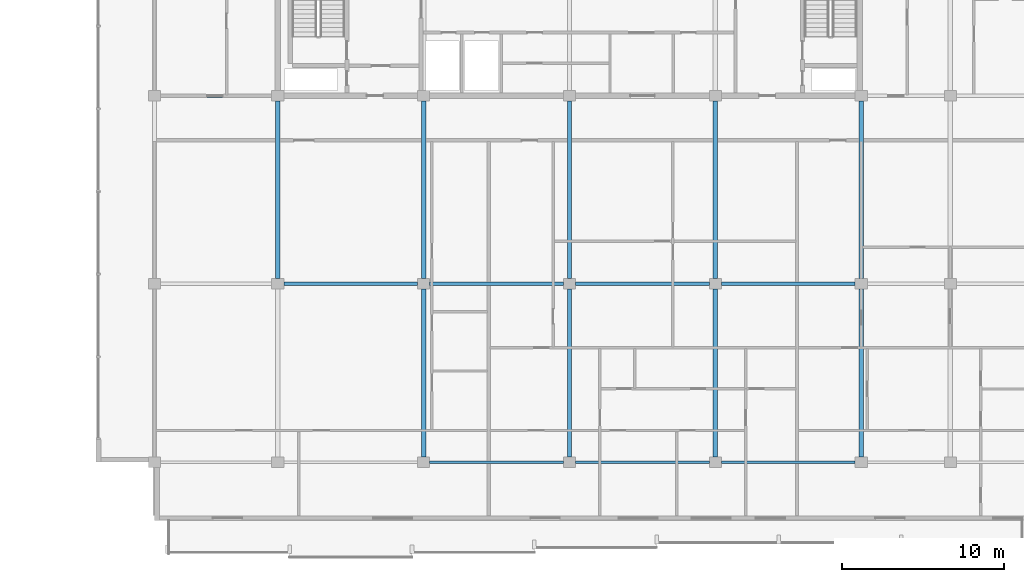
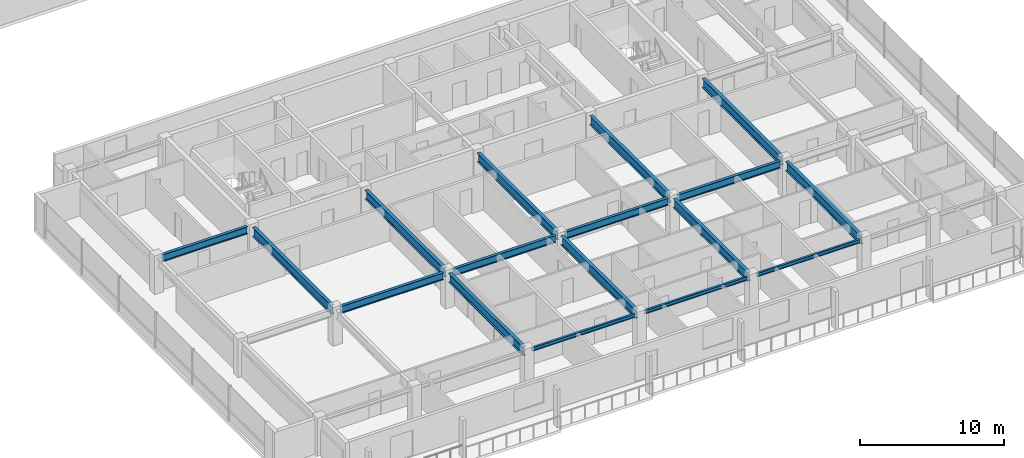
# One storey, part 5 of 30: 17 beams.
"""IFC4 building model written with IfcOpenShell, lengths in metres."""

from ifc_helpers import new_model, si_unit, direction, frame, origin, origin_2d, place, context, subcontext, project, spatial, i_section, extrude, material, material_profile, profile_set, type_object, element, save


model = new_model("IFC4")

# Units and contexts
model_context = context("Model", 3, precision=1e-05, world=origin(), true_north=direction((0.0, 1.0)))
body_context = subcontext(model_context, "Body", "Model", "MODEL_VIEW")
ifc_project = project(units=[si_unit("LENGTHUNIT", "METRE"), si_unit("AREAUNIT", "SQUARE_METRE"), si_unit("VOLUMEUNIT", "CUBIC_METRE"), si_unit("PLANEANGLEUNIT", "RADIAN"), si_unit("MASSUNIT", "GRAM", prefix="KILO")], contexts=[model_context])

# Site, building, storey
site_placement = place(None, origin())
site = spatial("IfcSite", under=ifc_project, at=site_placement, CompositionType="ELEMENT")
building_placement = place(site_placement, origin())
building = spatial("IfcBuilding", under=site, at=building_placement, Name="Korimba Cascade Residences", CompositionType="ELEMENT")
storey_placement = place(building_placement, frame((0.0, 0.0, 201.10009765625)))
storey = spatial("IfcBuildingStorey", under=building, at=storey_placement, Name="L58", CompositionType="ELEMENT", Elevation=201.10009765625)

# Beams
ifc_material = material(Name="Steel S355", Category="steel")
ifc_material_profile_1 = material_profile(ifc_material, i_section(OverallWidth=0.165771484375, OverallDepth=0.306640625, WebThickness=0.006591796875, FlangeThickness=0.01171875, FilletRadius=0.0087890625, at=origin_2d()), Name="Steel S355")
ifc_profile_set_1 = profile_set([ifc_material_profile_1], Name="Steel S355")
beam_type_1 = type_object("IfcBeamType", Name="BM-STL-UB305", PredefinedType="SPANDREL", material=ifc_profile_set_1)
for number, where, z_axis, x_axis, name in (
    (1, (91.47509765625, -4.199951171875, 2.816650390625), (1.0, 0.0, 0.0), (0.0, 1.0, 0.0), "L58 T2 E-W Girder Y1 Bay 3"),
    (2, (100.47509765625, -4.199951171875, 2.816650390625), (1.0, 0.0, 0.0), (0.0, 1.0, 0.0), "L58 T2 E-W Girder Y1 Bay 4"),
    (3, (109.47509765625, -4.199951171875, 2.816650390625), (1.0, 0.0, 0.0), (0.0, 1.0, 0.0), "L58 T2 E-W Girder Y1 Bay 5"),
):
    element("IfcBeam", number, at=place(storey_placement, frame(where, z_axis=z_axis, x_axis=x_axis)), inside=storey, type_object=beam_type_1, Name=name, PredefinedType="SPANDREL", context=body_context, shape_type="SweptSolid", body=[
        extrude(i_section(OverallWidth=0.165771484375, OverallDepth=0.306640625, WebThickness=0.006591796875, FlangeThickness=0.01171875, FilletRadius=0.0087890625, at=origin_2d()), origin(), (0.0, 0.0, 1.0), 8.25),
    ])
ifc_material_profile_2 = material_profile(ifc_material, i_section(OverallWidth=0.22900390625, OverallDepth=0.6123046875, WebThickness=0.011962890625, FlangeThickness=0.01953125, FilletRadius=0.0126953125, at=origin_2d()), Name="Steel S355")
ifc_profile_set_2 = profile_set([ifc_material_profile_2], Name="Steel S355")
beam_type_2 = type_object("IfcBeamType", Name="BM-STL-UB610B", PredefinedType="BEAM", material=ifc_profile_set_2)
for number, where, z_axis, x_axis, name in (
    (4, (82.47509765625, 6.800048828125, 2.663818359375), (1.0, 0.0, 0.0), (0.0, 1.0, 0.0), "L58 T2 E-W Girder Y2 Bay 2"),
    (5, (91.47509765625, 6.800048828125, 2.663818359375), (1.0, 0.0, 0.0), (0.0, 1.0, 0.0), "L58 T2 E-W Girder Y2 Bay 3"),
    (6, (100.47509765625, 6.800048828125, 2.663818359375), (1.0, 0.0, 0.0), (0.0, 1.0, 0.0), "L58 T2 E-W Girder Y2 Bay 4"),
    (7, (109.47509765625, 6.800048828125, 2.663818359375), (1.0, 0.0, 0.0), (0.0, 1.0, 0.0), "L58 T2 E-W Girder Y2 Bay 5"),
):
    element("IfcBeam", number, at=place(storey_placement, frame(where, z_axis=z_axis, x_axis=x_axis)), inside=storey, type_object=beam_type_2, Name=name, PredefinedType="BEAM", context=body_context, shape_type="SweptSolid", body=[
        extrude(i_section(OverallWidth=0.22900390625, OverallDepth=0.6123046875, WebThickness=0.011962890625, FlangeThickness=0.01953125, FilletRadius=0.0126953125, at=origin_2d()), origin(), (0.0, 0.0, 1.0), 8.25),
    ])
beam_1_placement = place(storey_placement, frame((74.875, 18.39990234375, 2.663818359375), z_axis=(1.0, 0.0, 0.0), x_axis=(0.0, 1.0, 0.0)))
element("IfcBeam", 8, at=beam_1_placement, inside=storey, type_object=beam_type_2, Name="L58 T2 E-W Girder Y3 Bay 1", PredefinedType="BEAM", context=body_context, shape_type="SweptSolid", body=[
    extrude(i_section(OverallWidth=0.22900390625, OverallDepth=0.6123046875, WebThickness=0.011962890625, FlangeThickness=0.01953125, FilletRadius=0.0126953125, at=origin_2d()), origin(), (0.0, 0.0, 1.0), 6.85009765625),
])
ifc_material_profile_3 = material_profile(ifc_material, i_section(OverallWidth=0.26806640625, OverallDepth=0.769775390625, WebThickness=0.015625, FlangeThickness=0.025390625, FilletRadius=0.0166015625, at=origin_2d()), Name="Steel S355")
ifc_profile_set_3 = profile_set([ifc_material_profile_3], Name="Steel S355")
beam_type_3 = type_object("IfcBeamType", Name="BM-STL-UB762", PredefinedType="BEAM", material=ifc_profile_set_3)
beam_2_placement = place(storey_placement, frame((82.10009765625, 7.125, 2.5849609375), z_axis=(0.0, 1.0, 0.0), x_axis=(-1.0, 0.0, 0.0)))
element("IfcBeam", 9, at=beam_2_placement, inside=storey, type_object=beam_type_3, Name="L58 T2 N-S Girder X2 Seg 2", PredefinedType="BEAM", context=body_context, shape_type="SweptSolid", body=[
    extrude(i_section(OverallWidth=0.26806640625, OverallDepth=0.769775390625, WebThickness=0.015625, FlangeThickness=0.025390625, FilletRadius=0.0166015625, at=origin_2d()), origin(), (0.0, 0.0, 1.0), 10.949951171875),
])
beam_3_placement = place(storey_placement, frame((91.10009765625, -3.875, 2.5849609375), z_axis=(0.0, 1.0, 0.0), x_axis=(-1.0, 0.0, 0.0)))
element("IfcBeam", 10, at=beam_3_placement, inside=storey, type_object=beam_type_3, Name="L58 T2 N-S Girder X3 Seg 1", PredefinedType="BEAM", context=body_context, shape_type="SweptSolid", body=[
    extrude(i_section(OverallWidth=0.26806640625, OverallDepth=0.769775390625, WebThickness=0.015625, FlangeThickness=0.025390625, FilletRadius=0.0166015625, at=origin_2d()), origin(), (0.0, 0.0, 1.0), 10.35009765625),
])
beam_4_placement = place(storey_placement, frame((91.10009765625, 7.125, 2.5849609375), z_axis=(0.0, 1.0, 0.0), x_axis=(-1.0, 0.0, 0.0)))
element("IfcBeam", 11, at=beam_4_placement, inside=storey, type_object=beam_type_3, Name="L58 T2 N-S Girder X3 Seg 2", PredefinedType="BEAM", context=body_context, shape_type="SweptSolid", body=[
    extrude(i_section(OverallWidth=0.26806640625, OverallDepth=0.769775390625, WebThickness=0.015625, FlangeThickness=0.025390625, FilletRadius=0.0166015625, at=origin_2d()), origin(), (0.0, 0.0, 1.0), 10.949951171875),
])
beam_5_placement = place(storey_placement, frame((100.10009765625, -3.875, 2.5849609375), z_axis=(0.0, 1.0, 0.0), x_axis=(-1.0, 0.0, 0.0)))
element("IfcBeam", 12, at=beam_5_placement, inside=storey, type_object=beam_type_3, Name="L58 T2 N-S Girder X4 Seg 1", PredefinedType="BEAM", context=body_context, shape_type="SweptSolid", body=[
    extrude(i_section(OverallWidth=0.26806640625, OverallDepth=0.769775390625, WebThickness=0.015625, FlangeThickness=0.025390625, FilletRadius=0.0166015625, at=origin_2d()), origin(), (0.0, 0.0, 1.0), 10.35009765625),
])
beam_6_placement = place(storey_placement, frame((100.10009765625, 7.125, 2.5849609375), z_axis=(0.0, 1.0, 0.0), x_axis=(-1.0, 0.0, 0.0)))
element("IfcBeam", 13, at=beam_6_placement, inside=storey, type_object=beam_type_3, Name="L58 T2 N-S Girder X4 Seg 2", PredefinedType="BEAM", context=body_context, shape_type="SweptSolid", body=[
    extrude(i_section(OverallWidth=0.26806640625, OverallDepth=0.769775390625, WebThickness=0.015625, FlangeThickness=0.025390625, FilletRadius=0.0166015625, at=origin_2d()), origin(), (0.0, 0.0, 1.0), 10.949951171875),
])
beam_7_placement = place(storey_placement, frame((109.10009765625, -3.875, 2.5849609375), z_axis=(0.0, 1.0, 0.0), x_axis=(-1.0, 0.0, 0.0)))
element("IfcBeam", 14, at=beam_7_placement, inside=storey, type_object=beam_type_3, Name="L58 T2 N-S Girder X5 Seg 1", PredefinedType="BEAM", context=body_context, shape_type="SweptSolid", body=[
    extrude(i_section(OverallWidth=0.26806640625, OverallDepth=0.769775390625, WebThickness=0.015625, FlangeThickness=0.025390625, FilletRadius=0.0166015625, at=origin_2d()), origin(), (0.0, 0.0, 1.0), 10.35009765625),
])
beam_8_placement = place(storey_placement, frame((109.10009765625, 7.125, 2.5849609375), z_axis=(0.0, 1.0, 0.0), x_axis=(-1.0, 0.0, 0.0)))
element("IfcBeam", 15, at=beam_8_placement, inside=storey, type_object=beam_type_3, Name="L58 T2 N-S Girder X5 Seg 2", PredefinedType="BEAM", context=body_context, shape_type="SweptSolid", body=[
    extrude(i_section(OverallWidth=0.26806640625, OverallDepth=0.769775390625, WebThickness=0.015625, FlangeThickness=0.025390625, FilletRadius=0.0166015625, at=origin_2d()), origin(), (0.0, 0.0, 1.0), 10.949951171875),
])
beam_9_placement = place(storey_placement, frame((118.10009765625, -3.875, 2.5849609375), z_axis=(0.0, 1.0, 0.0), x_axis=(-1.0, 0.0, 0.0)))
element("IfcBeam", 16, at=beam_9_placement, inside=storey, type_object=beam_type_3, Name="L58 T2 N-S Girder X6 Seg 1", PredefinedType="BEAM", context=body_context, shape_type="SweptSolid", body=[
    extrude(i_section(OverallWidth=0.26806640625, OverallDepth=0.769775390625, WebThickness=0.015625, FlangeThickness=0.025390625, FilletRadius=0.0166015625, at=origin_2d()), origin(), (0.0, 0.0, 1.0), 10.35009765625),
])
beam_10_placement = place(storey_placement, frame((118.10009765625, 7.125, 2.5849609375), z_axis=(0.0, 1.0, 0.0), x_axis=(-1.0, 0.0, 0.0)))
element("IfcBeam", 17, at=beam_10_placement, inside=storey, type_object=beam_type_3, Name="L58 T2 N-S Girder X6 Seg 2", PredefinedType="BEAM", context=body_context, shape_type="SweptSolid", body=[
    extrude(i_section(OverallWidth=0.26806640625, OverallDepth=0.769775390625, WebThickness=0.015625, FlangeThickness=0.025390625, FilletRadius=0.0166015625, at=origin_2d()), origin(), (0.0, 0.0, 1.0), 10.949951171875),
])

save(model, "model.ifc")
